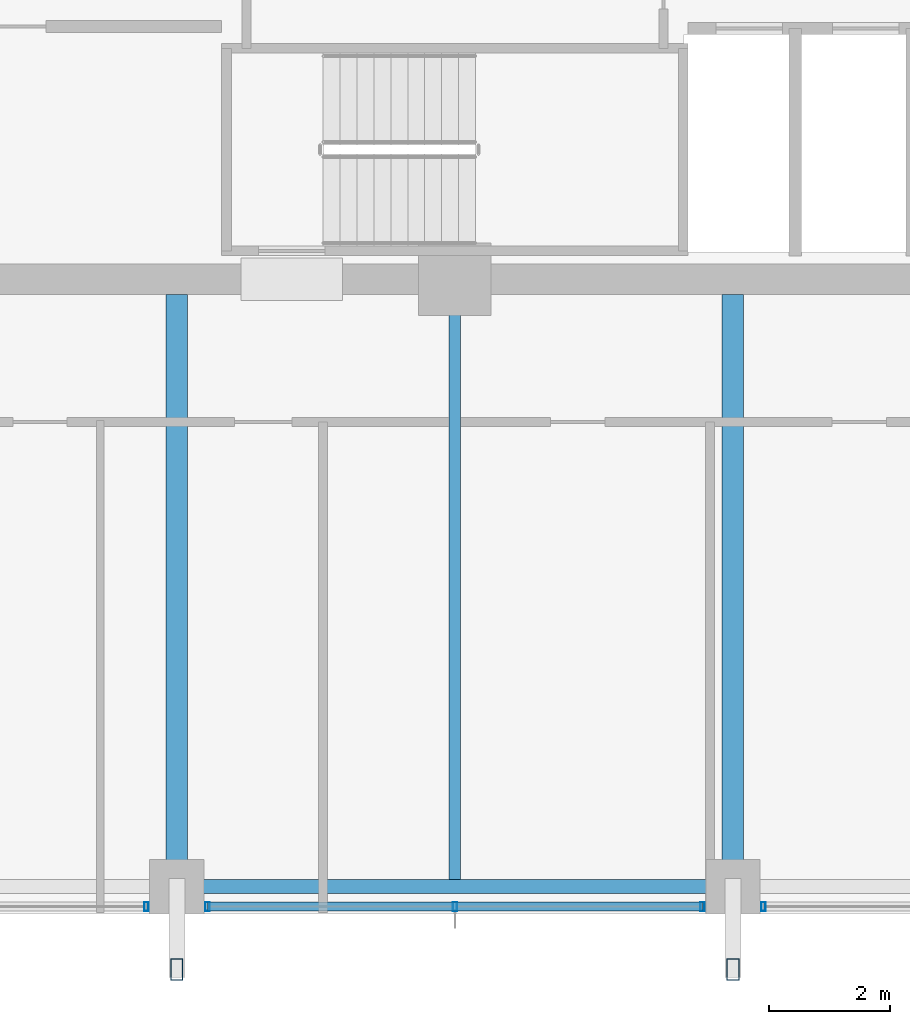
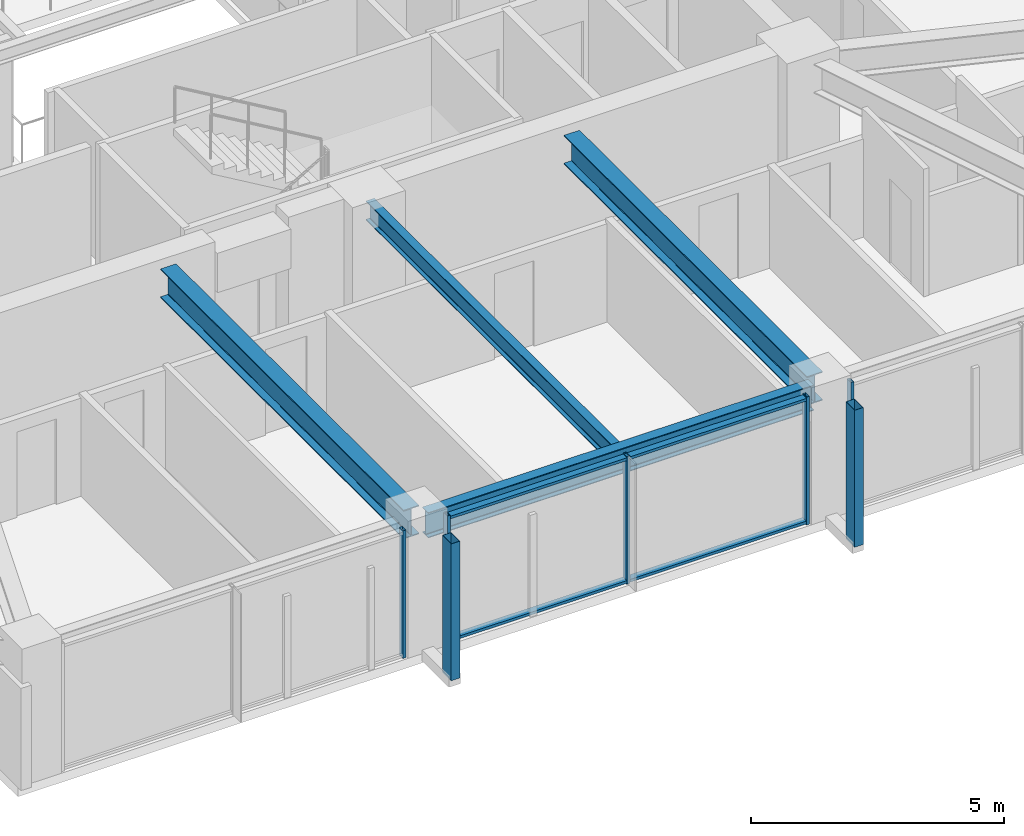
# One storey, part 4 of 35: 9 members, 4 beams, 3 elements without a shape of their own.
"""IFC4 building model written with IfcOpenShell, lengths in metres."""

from ifc_helpers import new_model, si_unit, direction, frame, origin, origin_2d, place, context, subcontext, project, spatial, hollow_rectangle, i_section, extrude, material, material_profile, profile_set, type_object, element, aggregate, save


model = new_model("IFC4")

# Units and contexts
model_context = context("Model", 3, precision=1e-05, world=origin(), true_north=direction((0.0, 1.0)))
body_context = subcontext(model_context, "Body", "Model", "MODEL_VIEW")
ifc_project = project(units=[si_unit("LENGTHUNIT", "METRE"), si_unit("AREAUNIT", "SQUARE_METRE"), si_unit("VOLUMEUNIT", "CUBIC_METRE"), si_unit("PLANEANGLEUNIT", "RADIAN"), si_unit("MASSUNIT", "GRAM", prefix="KILO")], contexts=[model_context])

# Site, building, storey
site_placement = place(None, origin())
site = spatial("IfcSite", under=ifc_project, at=site_placement, CompositionType="ELEMENT")
building_placement = place(site_placement, origin())
building = spatial("IfcBuilding", under=site, at=building_placement, Name="Kolvaren Belvedere", CompositionType="ELEMENT")
storey_placement = place(building_placement, frame((0.0, 0.0, 176.699951171875)))
storey = spatial("IfcBuildingStorey", under=building, at=storey_placement, Name="L51", CompositionType="ELEMENT", Elevation=176.699951171875)

# Beams
ifc_material_1 = material(Name="Structural steel ASTM A992 Grade 50", Category="steel")
ifc_material_profile_1 = material_profile(ifc_material_1, i_section(OverallWidth=0.35498046875, OverallDepth=0.696044921875, WebThickness=0.015380859375, FlangeThickness=0.02490234375, FilletRadius=0.02197265625, at=origin_2d()), Name="W27X146")
ifc_profile_set_1 = profile_set([ifc_material_profile_1], Name="Structural steel ASTM A992 Grade 50")
beam_type_1 = type_object("IfcBeamType", Name="BM-GIRD-W27X146", PredefinedType="BEAM", material=ifc_profile_set_1)
for number, where, z_axis, x_axis, name in (
    (1, (4.60009765625, -10.14990234375, 2.73193359375), (0.0, -1.0, 0.0), (1.0, 0.0, 0.0), "L51 South Radial Girder P"),
    (2, (-4.60009765625, -10.14990234375, 2.73193359375), (0.0, -1.0, 0.0), (1.0, 0.0, 0.0), "L51 South Radial Girder M"),
):
    element("IfcBeam", number, at=place(storey_placement, frame(where, z_axis=z_axis, x_axis=x_axis)), inside=storey, type_object=beam_type_1, Name=name, PredefinedType="BEAM", context=body_context, shape_type="SweptSolid", body=[
        extrude(i_section(OverallWidth=0.35498046875, OverallDepth=0.696044921875, WebThickness=0.015380859375, FlangeThickness=0.02490234375, FilletRadius=0.02197265625, at=origin_2d()), origin(), (0.0, 0.0, 1.0), 9.59765625),
    ])
ifc_material_2 = material(Name="Structural steel ASTM A992 Grade 50", Category="steel")
ifc_material_profile_2 = material_profile(ifc_material_2, i_section(OverallWidth=0.19091796875, OverallDepth=0.4599609375, WebThickness=0.010009765625, FlangeThickness=0.01611328125, FilletRadius=0.014892578125, at=origin_2d()), Name="W18X55")
ifc_profile_set_2 = profile_set([ifc_material_profile_2], Name="Structural steel ASTM A992 Grade 50")
beam_type_2 = type_object("IfcBeamType", Name="BM-JOIST-W18X55", PredefinedType="BEAM", material=ifc_profile_set_2)
beam_1_placement = place(storey_placement, frame((0.0, -10.14990234375, 2.85009765625), z_axis=(0.0, -1.0, 0.0), x_axis=(1.0, 0.0, 0.0)))
element("IfcBeam", 3, at=beam_1_placement, inside=storey, type_object=beam_type_2, Name="L51 South Centre Floor Beam", PredefinedType="BEAM", context=body_context, shape_type="SweptSolid", body=[
    extrude(i_section(OverallWidth=0.19091796875, OverallDepth=0.4599609375, WebThickness=0.010009765625, FlangeThickness=0.01611328125, FilletRadius=0.014892578125, at=origin_2d()), origin(), (0.0, 0.0, 1.0), 9.685546875),
])
ifc_material_3 = material(Name="Structural steel ASTM A992 Grade 50", Category="steel")
ifc_material_profile_3 = material_profile(ifc_material_3, i_section(OverallWidth=0.22900390625, OverallDepth=0.612060546875, WebThickness=0.011962890625, FlangeThickness=0.01953125, FilletRadius=0.01806640625, at=origin_2d()), Name="W24X84")
ifc_profile_set_3 = profile_set([ifc_material_profile_3], Name="Structural steel ASTM A992 Grade 50")
beam_type_3 = type_object("IfcBeamType", Name="BM-SPAN-W24X84", PredefinedType="SPANDREL", material=ifc_profile_set_3)
beam_2_placement = place(storey_placement, frame((-4.3974609375, -19.949951171875, 2.774169921875), z_axis=(1.0, 0.0, 0.0), x_axis=(0.0, 1.0, 0.0)))
element("IfcBeam", 4, at=beam_2_placement, inside=storey, type_object=beam_type_3, Name="L51 Perimeter Spandrel S2-S3", PredefinedType="SPANDREL", context=body_context, shape_type="SweptSolid", body=[
    extrude(i_section(OverallWidth=0.22900390625, OverallDepth=0.612060546875, WebThickness=0.011962890625, FlangeThickness=0.01953125, FilletRadius=0.01806640625, at=origin_2d()), origin(), (0.0, 0.0, 1.0), 8.794921875),
])

# Curtain wall, member
ifc_material_4 = material(Name="Anodised pale-metal aluminium AA 6063-T6", Category="aluminium")
curtain_wall_type = type_object("IfcCurtainWallType", Name="CW-Z5-HIGH", PredefinedType="NOTDEFINED", material=ifc_material_4)
curtain_wall_1_placement = place(storey_placement, origin())
curtain_wall_1 = element("IfcCurtainWall", 5, at=curtain_wall_1_placement, inside=storey, type_object=curtain_wall_type, Name="L51 Unitised Curtain Wall FCW-L51-S-B1", PredefinedType="NOTDEFINED")
ifc_material_5 = material(Name="Anodised pale-metal aluminium AA 6063-T6", Category="aluminium")
ifc_material_profile_4 = material_profile(ifc_material_5, hollow_rectangle(XDim=0.070068359375, YDim=0.14990234375, WallThickness=0.004150390625, at=origin_2d()), Name="ALU-MUL-150X70")
ifc_profile_set_4 = profile_set([ifc_material_profile_4], Name="Anodised pale-metal aluminium AA 6063-T6")
member_type_1 = type_object("IfcMemberType", Name="CW-MUL-150", PredefinedType="MULLION", material=ifc_profile_set_4)
member_1_placement = place(storey_placement, frame((5.10498046875, -20.280029296875, 0.0), z_axis=(0.0, 0.0, 1.0), x_axis=(1.0, 0.0, 0.0)))
member_1 = element("IfcMember", 6, at=member_1_placement, type_object=member_type_1, Name="FCW-L51-S-B1 Unitised Mullion 3", PredefinedType="MULLION", context=body_context, shape_type="SweptSolid", body=[
    extrude(hollow_rectangle(XDim=0.070068359375, YDim=0.14990234375, WallThickness=0.004150390625, at=origin_2d()), origin(), (0.0, 0.0, 1.0), 3.080078125),
])
aggregate(curtain_wall_1, [member_1])

# Curtain wall, members
curtain_wall_2_placement = place(storey_placement, origin())
curtain_wall_2 = element("IfcCurtainWall", 7, at=curtain_wall_2_placement, inside=storey, type_object=curtain_wall_type, Name="L51 Unitised Curtain Wall FCW-L51-S-B2", PredefinedType="NOTDEFINED")
member_2_placement = place(storey_placement, frame((4.094970703125, -20.280029296875, 0.0), z_axis=(0.0, 0.0, 1.0), x_axis=(1.0, 0.0, 0.0)))
member_2 = element("IfcMember", 8, at=member_2_placement, type_object=member_type_1, Name="FCW-L51-S-B2 Unitised Mullion 1", PredefinedType="MULLION", context=body_context, shape_type="SweptSolid", body=[
    extrude(hollow_rectangle(XDim=0.070068359375, YDim=0.14990234375, WallThickness=0.004150390625, at=origin_2d()), origin(), (0.0, 0.0, 1.0), 3.080078125),
])
member_3_placement = place(storey_placement, frame((0.0, -20.280029296875, 0.0), z_axis=(0.0, 0.0, 1.0), x_axis=(1.0, 0.0, 0.0)))
member_3 = element("IfcMember", 9, at=member_3_placement, type_object=member_type_1, Name="FCW-L51-S-B2 Unitised Mullion 2", PredefinedType="MULLION", context=body_context, shape_type="SweptSolid", body=[
    extrude(hollow_rectangle(XDim=0.070068359375, YDim=0.14990234375, WallThickness=0.004150390625, at=origin_2d()), origin(), (0.0, 0.0, 1.0), 3.080078125),
])
member_4_placement = place(storey_placement, frame((-4.094970703125, -20.280029296875, 0.0), z_axis=(0.0, 0.0, 1.0), x_axis=(1.0, 0.0, 0.0)))
member_4 = element("IfcMember", 10, at=member_4_placement, type_object=member_type_1, Name="FCW-L51-S-B2 Unitised Mullion 3", PredefinedType="MULLION", context=body_context, shape_type="SweptSolid", body=[
    extrude(hollow_rectangle(XDim=0.070068359375, YDim=0.14990234375, WallThickness=0.004150390625, at=origin_2d()), origin(), (0.0, 0.0, 1.0), 3.080078125),
])

# Curtain wall, member
curtain_wall_3_placement = place(storey_placement, origin())
curtain_wall_3 = element("IfcCurtainWall", 11, at=curtain_wall_3_placement, inside=storey, type_object=curtain_wall_type, Name="L51 Unitised Curtain Wall FCW-L51-S-B3", PredefinedType="NOTDEFINED")
member_5_placement = place(storey_placement, frame((-5.10498046875, -20.280029296875, 0.0), z_axis=(0.0, 0.0, 1.0), x_axis=(1.0, 0.0, 0.0)))
member_5 = element("IfcMember", 12, at=member_5_placement, type_object=member_type_1, Name="FCW-L51-S-B3 Unitised Mullion 1", PredefinedType="MULLION", context=body_context, shape_type="SweptSolid", body=[
    extrude(hollow_rectangle(XDim=0.070068359375, YDim=0.14990234375, WallThickness=0.004150390625, at=origin_2d()), origin(), (0.0, 0.0, 1.0), 3.080078125),
])
aggregate(curtain_wall_3, [member_5])

# Member
ifc_material_6 = material(Name="Anodised pale-metal aluminium AA 6063-T6", Category="aluminium")
ifc_material_profile_5 = material_profile(ifc_material_6, hollow_rectangle(XDim=0.06494140625, YDim=0.14990234375, WallThickness=0.00390625, at=origin_2d()), Name="ALU-TRN-150X65")
ifc_profile_set_5 = profile_set([ifc_material_profile_5], Name="Anodised pale-metal aluminium AA 6063-T6")
member_type_2 = type_object("IfcMemberType", Name="CW-TRN-150", PredefinedType="USERDEFINED", material=ifc_profile_set_5)
member_6_placement = place(storey_placement, frame((4.094970703125, -20.280029296875, 0.06005859375), z_axis=(-1.0, 0.0, 0.0), x_axis=(0.0, 0.0, 1.0)))
member_6 = element("IfcMember", 13, at=member_6_placement, type_object=member_type_2, Name="FCW-L51-S-B2 Sill Transom", ObjectType="TRANSOM", PredefinedType="USERDEFINED", context=body_context, shape_type="SweptSolid", body=[
    extrude(hollow_rectangle(XDim=0.06494140625, YDim=0.14990234375, WallThickness=0.00390625, at=origin_2d()), origin(), (0.0, 0.0, 1.0), 8.18994140625),
])

member_7_placement = place(storey_placement, frame((4.094970703125, -20.280029296875, 3.02001953125), z_axis=(-1.0, 0.0, 0.0), x_axis=(0.0, 0.0, 1.0)))
member_7 = element("IfcMember", 14, at=member_7_placement, type_object=member_type_2, Name="FCW-L51-S-B2 Head Transom", ObjectType="TRANSOM", PredefinedType="USERDEFINED", context=body_context, shape_type="SweptSolid", body=[
    extrude(hollow_rectangle(XDim=0.06494140625, YDim=0.14990234375, WallThickness=0.00390625, at=origin_2d()), origin(), (0.0, 0.0, 1.0), 8.18994140625),
])

aggregate(curtain_wall_2, [member_2, member_3, member_4, member_6, member_7])

# Members
ifc_material_7 = material(Name="Anodised pale-metal aluminium AA 6063-T6", Category="aluminium")
ifc_material_profile_6 = material_profile(ifc_material_7, hollow_rectangle(XDim=0.199951171875, YDim=0.35009765625, WallThickness=0.007568359375, at=origin_2d()), Name="ALU-PF-350X200")
ifc_profile_set_6 = profile_set([ifc_material_profile_6], Name="Anodised pale-metal aluminium AA 6063-T6")
member_type_3 = type_object("IfcMemberType", Name="PF-FRAME-350", PredefinedType="USERDEFINED", material=ifc_profile_set_6)
for number, where, z_axis, x_axis, name in (
    (15, (4.60009765625, -21.320068359375, 0.0), (0.0, 0.0, 1.0), (1.0, 0.0, 0.0), "L51 Outboard Picture-Frame Vertical S1"),
    (16, (-4.60009765625, -21.320068359375, 0.0), (0.0, 0.0, 1.0), (1.0, 0.0, 0.0), "L51 Outboard Picture-Frame Vertical S2"),
):
    element("IfcMember", number, at=place(storey_placement, frame(where, z_axis=z_axis, x_axis=x_axis)), inside=storey, type_object=member_type_3, Name=name, ObjectType="PICTURE FRAME FIN", PredefinedType="USERDEFINED", context=body_context, shape_type="SweptSolid", body=[
        extrude(hollow_rectangle(XDim=0.199951171875, YDim=0.35009765625, WallThickness=0.007568359375, at=origin_2d()), origin(), (0.0, 0.0, 1.0), 3.300048828125),
    ])

save(model, "model.ifc")
